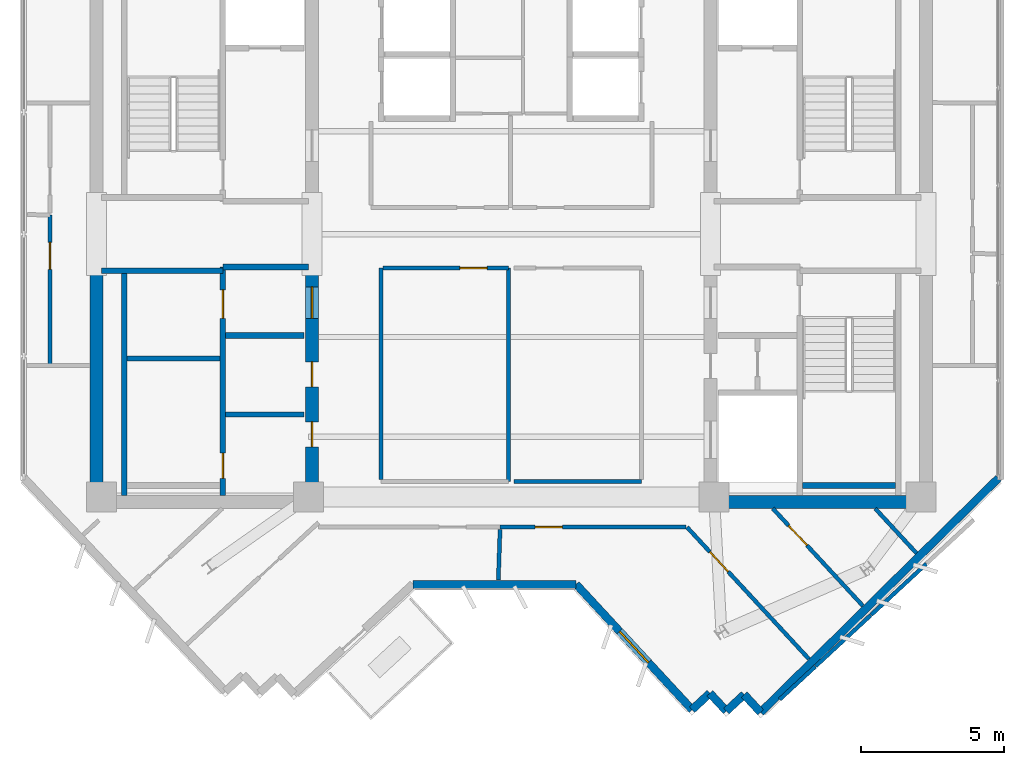
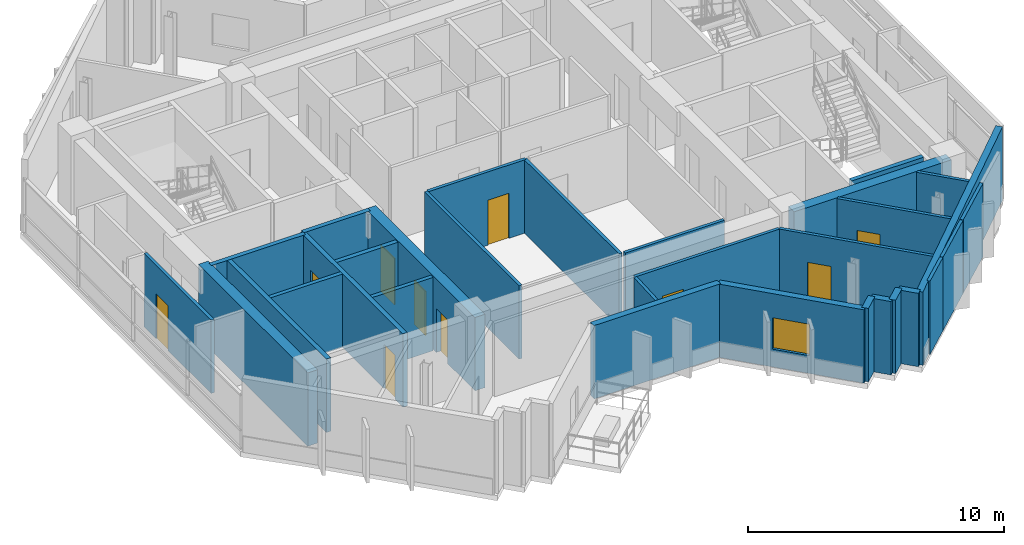
# One storey, part 4 of 9: 31 walls, 10 doors, 1 window, 11 openings.
"""IFC4 building model written with IfcOpenShell, lengths in metres."""

import ifcopenshell
import ifcopenshell.guid

model = None  # the IFC model being written
_history = None  # IfcOwnerHistory: only IFC2X3 demands one
_inside = {}  # id of a spatial element -> (the spatial element, [elements in it])
_under = {}  # id of a project, library or spatial element -> (it, [spatial elements below it])
_declared = {}  # id of a project -> (the project, [libraries it declares])
_typed = {}  # id of a type object -> (the type object, [elements of that type])
_made_of = {}  # id of a material, layer set ... -> (it, [elements and type objects made of it])


def new_model(schema):
    """Start an empty IFC model of exactly this schema.

    Asked for "IFC4X3", IfcOpenShell would pick the latest addendum, in which some entities
    have other attributes; the version numbers below select the first issue.
    IFC2X3 requires an IfcOwnerHistory on every rooted entity: one is made here for all.
    """
    global model, _history
    if schema == "IFC4X3":
        model = ifcopenshell.file(schema_version=(4, 3, 0, 0))
    else:
        model = ifcopenshell.file(schema=schema)
    _inside.clear()
    _under.clear()
    _declared.clear()
    _typed.clear()
    _made_of.clear()
    _history = None
    if model.schema == "IFC2X3":
        org = make("IfcOrganization", Name="unknown")
        user = make(
            "IfcPersonAndOrganization",
            ThePerson=make("IfcPerson", FamilyName="unknown"),
            TheOrganization=org,
        )
        app = make(
            "IfcApplication",
            ApplicationDeveloper=org,
            Version="unknown",
            ApplicationFullName="unknown",
            ApplicationIdentifier="unknown",
        )
        _history = make(
            "IfcOwnerHistory",
            OwningUser=user,
            OwningApplication=app,
            ChangeAction="ADDED",
            CreationDate=0,
        )
    return model


def make(cls, **values):
    """One entity of the class cls with the attributes given. An attribute that is None is left unset."""
    return model.create_entity(
        cls, **{name: value for name, value in values.items() if value is not None}
    )


def rooted(cls, **values):
    """An entity with a GlobalId (a new one), such as an element, a storey or a relation."""
    return make(cls, GlobalId=ifcopenshell.guid.new(), OwnerHistory=_history, **values)


def si_unit(unit_type, name, prefix=None):
    """IfcSIUnit, for example si_unit("LENGTHUNIT", "METRE", prefix="MILLI")."""
    return make("IfcSIUnit", UnitType=unit_type, Prefix=prefix, Name=name)


def assignment(units):
    """IfcUnitAssignment: the units of a project."""
    return None if units is None else make("IfcUnitAssignment", Units=units)


def point(xyz):
    """IfcCartesianPoint."""
    return None if xyz is None else make("IfcCartesianPoint", Coordinates=xyz)


def direction(xyz):
    """IfcDirection."""
    return None if xyz is None else make("IfcDirection", DirectionRatios=xyz)


def frame(location, z_axis=None, x_axis=None):
    """IfcAxis2Placement3D, a coordinate frame: its origin and axes. An axis left out is left unset."""
    return make(
        "IfcAxis2Placement3D",
        Location=point(location),
        Axis=direction(z_axis),
        RefDirection=direction(x_axis),
    )


def frame_2d(location, x_axis=None):
    """IfcAxis2Placement2D, a coordinate frame in the plane: its origin and x axis."""
    return make(
        "IfcAxis2Placement2D", Location=point(location), RefDirection=direction(x_axis)
    )


def origin():
    """The frame at (0, 0, 0) with its axes left unset."""
    return frame((0.0, 0.0, 0.0))


def place(relative_to, where):
    """IfcLocalPlacement: puts the frame where relative to a parent placement (None: the world)."""
    return make(
        "IfcLocalPlacement", PlacementRelTo=relative_to, RelativePlacement=where
    )


def context(
    kind, dimensions, precision=None, world=None, true_north=None, identifier=None
):
    """IfcGeometricRepresentationContext, for example the 3D "Model" context."""
    return make(
        "IfcGeometricRepresentationContext",
        ContextIdentifier=identifier,
        ContextType=kind,
        CoordinateSpaceDimension=dimensions,
        Precision=precision,
        WorldCoordinateSystem=world,
        TrueNorth=true_north,
    )


def subcontext(parent, identifier, kind, view, scale=None):
    """IfcGeometricRepresentationSubContext, for example "Body" below "Model"."""
    return make(
        "IfcGeometricRepresentationSubContext",
        ContextIdentifier=identifier,
        ContextType=kind,
        ParentContext=parent,
        TargetScale=scale,
        TargetView=view,
    )


def project(units=None, contexts=None):
    """IfcProject with its units and contexts."""
    return rooted(
        "IfcProject",
        Name="project",
        RepresentationContexts=contexts,
        UnitsInContext=assignment(units),
    )


def spatial(cls, under=None, at=None, **own):
    """A site, building, storey or space (cls), placed at a placement, below another one or the project."""
    s = rooted(cls, ObjectPlacement=at, **own)
    if under is not None:
        _under.setdefault(under.id(), (under, []))[1].append(s)
    return s


def profile(cls, at=None, kind="AREA", **sizes):
    """A parametric profile (cls). Its sizes go by their IFC names, for example OverallWidth=200.0."""
    return make(cls, ProfileType=kind, Position=at, **sizes)


def rectangle(**sizes):
    """IfcRectangleProfileDef."""
    return profile("IfcRectangleProfileDef", **sizes)


def extrude(swept, where, along, depth):
    """IfcExtrudedAreaSolid: the profile swept, set in the frame where, extruded along a direction by depth."""
    return make(
        "IfcExtrudedAreaSolid",
        SweptArea=swept,
        Position=where,
        ExtrudedDirection=direction(along),
        Depth=depth,
    )


def shape(context_of_items, identifier, shape_type, items):
    """IfcShapeRepresentation: the items that make up one representation, for example the "Body"."""
    return make(
        "IfcShapeRepresentation",
        ContextOfItems=context_of_items,
        RepresentationIdentifier=identifier,
        RepresentationType=shape_type,
        Items=items,
    )


def source(mapping_origin, context_of_items, identifier, shape_type, items):
    """IfcRepresentationMap: a shape defined once, which mapped items show again and again."""
    return make(
        "IfcRepresentationMap",
        MappingOrigin=mapping_origin,
        MappedRepresentation=shape(context_of_items, identifier, shape_type, items),
    )


def transform(
    local_origin,
    x_axis=None,
    y_axis=None,
    z_axis=None,
    scale=None,
    scale2=None,
    scale3=None,
    uniform=True,
):
    """IfcCartesianTransformationOperator3D, or its non-uniform kind. x_axis, y_axis, z_axis: its Axis1, 2, 3."""
    if uniform:
        return make(
            "IfcCartesianTransformationOperator3D",
            Axis1=direction(x_axis),
            Axis2=direction(y_axis),
            LocalOrigin=point(local_origin),
            Scale=scale,
            Axis3=direction(z_axis),
        )
    return make(
        "IfcCartesianTransformationOperator3DnonUniform",
        Axis1=direction(x_axis),
        Axis2=direction(y_axis),
        LocalOrigin=point(local_origin),
        Scale=scale,
        Axis3=direction(z_axis),
        Scale2=scale2,
        Scale3=scale3,
    )


def mapped(mapping_source, mapping_target):
    """IfcMappedItem: shows the shape of a source again, moved by a transform."""
    return make(
        "IfcMappedItem", MappingSource=mapping_source, MappingTarget=mapping_target
    )


def material(Name=None, Category=None):
    """IfcMaterial."""
    return make("IfcMaterial", Name=Name, Category=Category)


def layer(
    of_material, thickness, ventilated=None, Name=None, Category=None, Priority=None
):
    """IfcMaterialLayer: one layer of a wall or slab, of a material (None: an air gap)."""
    return make(
        "IfcMaterialLayer",
        Material=of_material,
        LayerThickness=thickness,
        IsVentilated=ventilated,
        Name=Name,
        Category=Category,
        Priority=Priority,
    )


def layer_set(layers, Name=None):
    """IfcMaterialLayerSet."""
    return make("IfcMaterialLayerSet", MaterialLayers=layers, LayerSetName=Name)


def made_of(thing, what):
    """Note that an element or type object is made of a material, layer set ...; save() writes the relation."""
    if what is not None:
        _made_of.setdefault(what.id(), (what, []))[1].append(thing)
    return thing


def type_object(cls, material=None, **own):
    """A type object (cls), such as IfcWallType, which elements share."""
    return made_of(rooted(cls, **own), material)


def element(
    cls,
    number,
    at=None,
    inside=None,
    cuts=None,
    type_object=None,
    material=None,
    context=None,
    identifier="Body",
    shape_type=None,
    held_by="IfcProductDefinitionShape",
    body=None,
    shapes=None,
    **own,
):
    """One element of the class cls, such as IfcWall. Its Tag is "e" and its number.

    at: its placement. inside: the storey or other place that contains it. cuts: it is an
    opening in that element (IfcRelVoidsElement). A single representation is given by context,
    identifier, shape_type and body (its items); several are given by shapes. held_by: the class
    of the entity that holds the representations. save() writes the other relations.
    """
    e = rooted(cls, Tag="e%d" % number, ObjectPlacement=at, **own)
    if body is not None:
        shapes = [shape(context, identifier, shape_type, body)]
    if shapes is not None:
        e.Representation = make(held_by, Representations=shapes)
    if inside is not None:
        _inside.setdefault(inside.id(), (inside, []))[1].append(e)
    if cuts is not None:
        rooted(
            "IfcRelVoidsElement", RelatingBuildingElement=cuts, RelatedOpeningElement=e
        )
    if type_object is not None:
        _typed.setdefault(type_object.id(), (type_object, []))[1].append(e)
    return made_of(e, material)


def fill(opening, filler):
    """IfcRelFillsElement: the door or window that sits in an opening."""
    return rooted(
        "IfcRelFillsElement",
        RelatingOpeningElement=opening,
        RelatedBuildingElement=filler,
    )


def aggregate(whole, parts):
    """IfcRelAggregates: a whole, such as a stair, and the parts it consists of."""
    return rooted("IfcRelAggregates", RelatingObject=whole, RelatedObjects=parts)


def save(model, path):
    """Write the relations noted so far, then the file.

    IfcRelAggregates (storeys below a building ...), IfcRelContainedInSpatialStructure (elements
    in a storey), IfcRelDefinesByType, IfcRelAssociatesMaterial and IfcRelDeclares: one each for
    every whole, place, type object, material and project.
    """
    for whole, parts in _under.values():
        aggregate(whole, parts)
    for where, things in _inside.values():
        rooted(
            "IfcRelContainedInSpatialStructure",
            RelatedElements=things,
            RelatingStructure=where,
        )
    for kind, things in _typed.values():
        rooted("IfcRelDefinesByType", RelatedObjects=things, RelatingType=kind)
    for what, things in _made_of.values():
        rooted("IfcRelAssociatesMaterial", RelatedObjects=things, RelatingMaterial=what)
    for by, libraries in _declared.values():
        rooted("IfcRelDeclares", RelatingContext=by, RelatedDefinitions=libraries)
    model.write(path)


model = new_model("IFC4")

# Units and contexts
model_context = context("Model", 3, precision=1e-05, world=origin(), true_north=direction((0.0, 1.0)))
body_context = subcontext(model_context, "Body", "Model", "MODEL_VIEW")
ifc_project = project(units=[si_unit("LENGTHUNIT", "METRE"), si_unit("AREAUNIT", "SQUARE_METRE"), si_unit("VOLUMEUNIT", "CUBIC_METRE"), si_unit("PLANEANGLEUNIT", "RADIAN"), si_unit("MASSUNIT", "GRAM", prefix="KILO")], contexts=[model_context])

# Site, building, storey
site_placement = place(None, origin())
site = spatial("IfcSite", under=ifc_project, at=site_placement, CompositionType="ELEMENT")
building_placement = place(site_placement, origin())
building = spatial("IfcBuilding", under=site, at=building_placement, Name="Zahravan Cultural Tower", CompositionType="ELEMENT")
storey_placement = place(building_placement, frame((0.0, 0.0, 299.10009765625)))
storey = spatial("IfcBuildingStorey", under=building, at=storey_placement, Name="L72", CompositionType="ELEMENT", Elevation=299.10009765625)

# Wall, openings, doors
ifc_material_1 = material(Name="Concrete C50/60", Category="concrete")
ifc_layer_1 = layer(ifc_material_1, 0.449951171875)
ifc_layer_set_1 = layer_set([ifc_layer_1], Name="Concrete C50/60")
wall_type_1 = type_object("IfcWallType", Name="CW-SHEAR-450-C50", PredefinedType="SHEAR", material=ifc_layer_set_1)
wall_1_placement = place(storey_placement, frame((29.02490234375, 17.39990234375, 0.0), z_axis=(0.0, 0.0, 1.0), x_axis=(0.0, 1.0, 0.0)))
wall_1 = element("IfcWall", 1, at=wall_1_placement, inside=storey, type_object=wall_type_1, Name="L72 Core Shear Wall CW-W-ES-L72", PredefinedType="SHEAR", context=body_context, shape_type="SweptSolid", body=[
    extrude(rectangle(XDim=8.550048828125, YDim=0.449951171875, at=frame_2d((4.27490234375, 0.0))), origin(), (0.0, 0.0, 1.0), 3.5),
])
opening_1_placement = place(wall_1_placement, frame((6.64990234375, 0.0, 0.0)))
opening_1 = element("IfcOpeningElement", 2, at=opening_1_placement, cuts=wall_1, Name="Opening D-L72-08", PredefinedType="OPENING", context=body_context, shape_type="SweptSolid", body=[
    extrude(rectangle(XDim=1.10009765625, YDim=2.199951171875, at=frame_2d((0.550048828125, 1.10009765625))), frame((0.0, 0.23486328125, 0.0), z_axis=(0.0, -1.0, 0.0), x_axis=(1.0, 0.0, 0.0)), (0.0, 0.0, 1.0), 0.469970703125),
])
opening_2_placement = place(wall_1_placement, frame((2.14990234375, 0.0, 0.0)))
opening_2 = element("IfcOpeningElement", 3, at=opening_2_placement, cuts=wall_1, Name="Opening D-L72-10", PredefinedType="OPENING", context=body_context, shape_type="SweptSolid", body=[
    extrude(rectangle(XDim=0.8798828125, YDim=2.10009765625, at=frame_2d((0.43994140625, 1.050048828125))), frame((0.0, 0.23486328125, 0.0), z_axis=(0.0, -1.0, 0.0), x_axis=(1.0, 0.0, 0.0)), (0.0, 0.0, 1.0), 0.469970703125),
])
opening_3_placement = place(wall_1_placement, frame((4.25, 0.0, 0.0)))
opening_3 = element("IfcOpeningElement", 4, at=opening_3_placement, cuts=wall_1, Name="Opening D-L72-11", PredefinedType="OPENING", context=body_context, shape_type="SweptSolid", body=[
    extrude(rectangle(XDim=0.8798828125, YDim=2.10009765625, at=frame_2d((0.43994140625, 1.050048828125))), frame((0.0, 0.23486328125, 0.0), z_axis=(0.0, -1.0, 0.0), x_axis=(1.0, 0.0, 0.0)), (0.0, 0.0, 1.0), 0.469970703125),
])
ifc_material_2 = material(Name="Steel ASTM A572 Grade 50", Category="steel")
door_type_1 = type_object("IfcDoorType", Name="DR-LOBBY-1100", OperationType="NOTDEFINED", PredefinedType="DOOR", material=ifc_material_2)
shared_shape_1 = source(origin(), body_context, "Body", "SweptSolid", [
    extrude(rectangle(XDim=1.10009765625, YDim=2.199951171875, at=frame_2d((0.550048828125, 1.10009765625))), frame((0.0, 0.02490234375, 0.0), z_axis=(0.0, -1.0, 0.0), x_axis=(1.0, 0.0, 0.0)), (0.0, 0.0, 1.0), 0.050048828125),
])
door_1_placement = place(opening_1_placement, origin())
door_1 = element("IfcDoor", 5, at=door_1_placement, inside=storey, type_object=door_type_1, Name="L72 Door D-L72-08", OperationType="SINGLE_SWING_LEFT", OverallHeight=2.199951171875, OverallWidth=1.10009765625, PredefinedType="DOOR", context=body_context, shape_type="MappedRepresentation", body=[
    mapped(shared_shape_1, transform((0.0, 0.0, 0.0), x_axis=(1.0, 0.0, 0.0), y_axis=(0.0, 1.0, 0.0), z_axis=(0.0, 0.0, 1.0), scale=1.0)),
])
fill(opening_1, door_1)
door_type_2 = type_object("IfcDoorType", Name="DR-SVC-880", OperationType="NOTDEFINED", PredefinedType="DOOR", material=ifc_material_2)
shared_shape_2 = source(origin(), body_context, "Body", "SweptSolid", [
    extrude(rectangle(XDim=0.8798828125, YDim=2.10009765625, at=frame_2d((0.43994140625, 1.050048828125))), frame((0.0, 0.02490234375, 0.0), z_axis=(0.0, -1.0, 0.0), x_axis=(1.0, 0.0, 0.0)), (0.0, 0.0, 1.0), 0.050048828125),
])
door_2_placement = place(opening_2_placement, origin())
door_2 = element("IfcDoor", 6, at=door_2_placement, inside=storey, type_object=door_type_2, Name="L72 Door D-L72-10", OperationType="SINGLE_SWING_LEFT", OverallHeight=2.10009765625, OverallWidth=0.8798828125, PredefinedType="DOOR", context=body_context, shape_type="MappedRepresentation", body=[
    mapped(shared_shape_2, transform((0.0, 0.0, 0.0), x_axis=(1.0, 0.0, 0.0), y_axis=(0.0, 1.0, 0.0), z_axis=(0.0, 0.0, 1.0), scale=1.0)),
])
fill(opening_2, door_2)
door_3_placement = place(opening_3_placement, origin())
door_3 = element("IfcDoor", 7, at=door_3_placement, inside=storey, type_object=door_type_2, Name="L72 Door D-L72-11", OperationType="SINGLE_SWING_RIGHT", OverallHeight=2.10009765625, OverallWidth=0.8798828125, PredefinedType="DOOR", context=body_context, shape_type="MappedRepresentation", body=[
    mapped(shared_shape_2, transform((0.0, 0.0, 0.0), x_axis=(1.0, 0.0, 0.0), y_axis=(0.0, 1.0, 0.0), z_axis=(0.0, 0.0, 1.0), scale=1.0)),
])
fill(opening_3, door_3)

# Wall, opening, window
ifc_material_3 = material(Name="Precast concrete C40/50", Category="concrete")
ifc_layer_2 = layer(ifc_material_3, 0.280029296875)
ifc_layer_set_2 = layer_set([ifc_layer_2], Name="Precast concrete C40/50")
wall_type_2 = type_object("IfcWallType", Name="EW-TC-280", PredefinedType="SOLIDWALL", material=ifc_layer_set_2)
wall_2_placement = place(storey_placement, frame((42.327880859375, 10.35009765625, 0.0), z_axis=(0.0, 0.0, 1.0), x_axis=(-0.679010627727, 0.734128440693, 0.0)))
wall_2 = element("IfcWall", 8, at=wall_2_placement, inside=storey, type_object=wall_type_2, Name="L72 Exterior Masonry Frame Wall 12", PredefinedType="SOLIDWALL", context=body_context, shape_type="SweptSolid", body=[
    extrude(rectangle(XDim=5.979736328125, YDim=0.280029296875, at=frame_2d((2.98974609375, 0.0))), origin(), (0.0, 0.0, 1.0), 3.5),
])
opening_4_placement = place(wall_2_placement, frame((2.239990234375, 0.0, 0.85009765625)))
opening_4 = element("IfcOpeningElement", 9, at=opening_4_placement, cuts=wall_2, Name="Opening WN-03", PredefinedType="OPENING", context=body_context, shape_type="SweptSolid", body=[
    extrude(rectangle(XDim=1.5, YDim=1.5, at=frame_2d((0.75, 0.75))), frame((0.0, 0.14990234375, 0.0), z_axis=(0.0, -1.0, 0.0), x_axis=(1.0, 0.0, 0.0)), (0.0, 0.0, 1.0), 0.300048828125),
])
ifc_material_4 = material(Name="Low-E solar-control double glazing", Category="glass")
window_type = type_object("IfcWindowType", Name="WN-REC-1500X1500", PartitioningType="SINGLE_PANEL", PredefinedType="WINDOW", material=ifc_material_4)
shared_shape_3 = source(origin(), body_context, "Body", "SweptSolid", [
    extrude(rectangle(XDim=1.5, YDim=1.5, at=frame_2d((0.75, 0.75))), frame((0.0, 0.030029296875, 0.0), z_axis=(0.0, -1.0, 0.0), x_axis=(1.0, 0.0, 0.0)), (0.0, 0.0, 1.0), 0.06005859375),
])
window_placement = place(opening_4_placement, origin())
window = element("IfcWindow", 10, at=window_placement, inside=storey, type_object=window_type, Name="L72 Recessed Solar Window 03", OverallHeight=1.5, OverallWidth=1.5, PartitioningType="SINGLE_PANEL", PredefinedType="WINDOW", context=body_context, shape_type="MappedRepresentation", body=[
    mapped(shared_shape_3, transform((0.0, 0.0, 0.0), x_axis=(1.0, 0.0, 0.0), y_axis=(0.0, 1.0, 0.0), z_axis=(0.0, 0.0, 1.0), scale=1.0)),
])
fill(opening_4, window)

# Wall, opening, door
ifc_material_5 = material(Name="Gypsum plasterboard partition")
ifc_layer_3 = layer(ifc_material_5, 0.139892578125)
ifc_layer_set_3 = layer_set([ifc_layer_3], Name="Gypsum plasterboard partition")
wall_type_3 = type_object("IfcWallType", Name="W-PART-140", PredefinedType="PARTITIONING", material=ifc_layer_set_3)
wall_3_placement = place(storey_placement, frame((48.310546875, 13.98486328125, 0.0), z_axis=(0.0, 0.0, 1.0), x_axis=(-0.679002327249, 0.73413611789, 0.0)))
wall_3 = element("IfcWall", 11, at=wall_3_placement, inside=storey, type_object=wall_type_3, Name="L72 Interior Wall 052", PredefinedType="PARTITIONING", context=body_context, shape_type="SweptSolid", body=[
    extrude(rectangle(XDim=4.64501953125, YDim=0.139892578125, at=frame_2d((2.322509765625, 0.0))), origin(), (0.0, 0.0, 1.0), 3.5),
])
opening_5_placement = place(wall_3_placement, frame((2.882080078125, 0.0, 0.0)))
opening_5 = element("IfcOpeningElement", 12, at=opening_5_placement, cuts=wall_3, Name="Opening D-L72-32", PredefinedType="OPENING", context=body_context, shape_type="SweptSolid", body=[
    extrude(rectangle(XDim=0.949951171875, YDim=2.14990234375, at=frame_2d((0.47509765625, 1.074951171875))), frame((0.0, 0.079833984375, 0.0), z_axis=(0.0, -1.0, 0.0), x_axis=(1.0, 0.0, 0.0)), (0.0, 0.0, 1.0), 0.159912109375),
])
ifc_material_6 = material(Name="Anodised bronze-aluminium mullion", Category="aluminium")
door_type_3 = type_object("IfcDoorType", Name="DR-ROOM-950", OperationType="NOTDEFINED", PredefinedType="DOOR", material=ifc_material_6)
shared_shape_4 = source(origin(), body_context, "Body", "SweptSolid", [
    extrude(rectangle(XDim=0.949951171875, YDim=2.14990234375, at=frame_2d((0.47509765625, 1.074951171875))), frame((0.0, 0.02490234375, 0.0), z_axis=(0.0, -1.0, 0.0), x_axis=(1.0, 0.0, 0.0)), (0.0, 0.0, 1.0), 0.050048828125),
])
door_4_placement = place(opening_5_placement, origin())
door_4 = element("IfcDoor", 13, at=door_4_placement, inside=storey, type_object=door_type_3, Name="L72 Door D-L72-32", OperationType="SINGLE_SWING_LEFT", OverallHeight=2.14990234375, OverallWidth=0.949951171875, PredefinedType="DOOR", context=body_context, shape_type="MappedRepresentation", body=[
    mapped(shared_shape_4, transform((0.0, 0.0, 0.0), x_axis=(1.0, 0.0, 0.0), y_axis=(0.0, 1.0, 0.0), z_axis=(0.0, 0.0, 1.0), scale=1.0)),
])
fill(opening_5, door_4)

wall_4_placement = place(storey_placement, frame((46.42138671875, 12.124755859375, 0.0), z_axis=(0.0, 0.0, 1.0), x_axis=(-0.679016867794, 0.734122669076, 0.0)))
wall_4 = element("IfcWall", 14, at=wall_4_placement, inside=storey, type_object=wall_type_3, Name="L72 Interior Wall 062", PredefinedType="PARTITIONING", context=body_context, shape_type="SweptSolid", body=[
    extrude(rectangle(XDim=6.28662109375, YDim=0.139892578125, at=frame_2d((3.143310546875, 0.0))), origin(), (0.0, 0.0, 1.0), 3.5),
])
opening_6_placement = place(wall_4_placement, frame((4.16259765625, 0.0, 0.0)))
opening_6 = element("IfcOpeningElement", 15, at=opening_6_placement, cuts=wall_4, Name="Opening D-L72-31", PredefinedType="OPENING", context=body_context, shape_type="SweptSolid", body=[
    extrude(rectangle(XDim=0.949951171875, YDim=2.14990234375, at=frame_2d((0.47509765625, 1.074951171875))), frame((0.0, 0.079833984375, 0.0), z_axis=(0.0, -1.0, 0.0), x_axis=(1.0, 0.0, 0.0)), (0.0, 0.0, 1.0), 0.159912109375),
])
door_5_placement = place(opening_6_placement, origin())
door_5 = element("IfcDoor", 16, at=door_5_placement, inside=storey, type_object=door_type_3, Name="L72 Door D-L72-31", OperationType="SINGLE_SWING_RIGHT", OverallHeight=2.14990234375, OverallWidth=0.949951171875, PredefinedType="DOOR", context=body_context, shape_type="MappedRepresentation", body=[
    mapped(shared_shape_4, transform((0.0, 0.0, 0.0), x_axis=(1.0, 0.0, 0.0), y_axis=(0.0, 1.0, 0.0), z_axis=(0.0, 0.0, 1.0), scale=1.0)),
])
fill(opening_6, door_5)

wall_5_placement = place(storey_placement, frame((19.85009765625, 27.662353515625, 0.0), z_axis=(0.0, 0.0, 1.0), x_axis=(0.0, -1.0, 0.0)))
wall_5 = element("IfcWall", 17, at=wall_5_placement, inside=storey, type_object=wall_type_3, Name="L72 Interior Wall 066", PredefinedType="PARTITIONING", context=body_context, shape_type="SweptSolid", body=[
    extrude(rectangle(XDim=5.25634765625, YDim=0.139892578125, at=frame_2d((2.628173828125, 0.0))), origin(), (0.0, 0.0, 1.0), 3.5),
])
opening_7_placement = place(wall_5_placement, frame((0.947509765625, 0.0, 0.0)))
opening_7 = element("IfcOpeningElement", 18, at=opening_7_placement, cuts=wall_5, Name="Opening D-L72-24", PredefinedType="OPENING", context=body_context, shape_type="SweptSolid", body=[
    extrude(rectangle(XDim=0.949951171875, YDim=2.14990234375, at=frame_2d((0.47509765625, 1.074951171875))), frame((0.0, 0.079833984375, 0.0), z_axis=(0.0, -1.0, 0.0), x_axis=(1.0, 0.0, 0.0)), (0.0, 0.0, 1.0), 0.159912109375),
])
door_6_placement = place(opening_7_placement, origin())
door_6 = element("IfcDoor", 19, at=door_6_placement, inside=storey, type_object=door_type_3, Name="L72 Door D-L72-24", OperationType="SINGLE_SWING_LEFT", OverallHeight=2.14990234375, OverallWidth=0.949951171875, PredefinedType="DOOR", context=body_context, shape_type="MappedRepresentation", body=[
    mapped(shared_shape_4, transform((0.0, 0.0, 0.0), x_axis=(1.0, 0.0, 0.0), y_axis=(0.0, 1.0, 0.0), z_axis=(0.0, 0.0, 1.0), scale=1.0)),
])
fill(opening_7, door_6)

wall_6_placement = place(storey_placement, frame((31.514892578125, 25.81005859375, 0.0), z_axis=(0.0, 0.0, 1.0), x_axis=(1.0, 0.0, 0.0)))
wall_6 = element("IfcWall", 20, at=wall_6_placement, inside=storey, type_object=wall_type_3, Name="L72 Interior Wall 083", PredefinedType="PARTITIONING", context=body_context, shape_type="SweptSolid", body=[
    extrude(rectangle(XDim=4.39501953125, YDim=0.139892578125, at=frame_2d((2.197509765625, 0.0))), origin(), (0.0, 0.0, 1.0), 3.5),
])
opening_8_placement = place(wall_6_placement, frame((2.68701171875, 0.0, 0.0)))
opening_8 = element("IfcOpeningElement", 21, at=opening_8_placement, cuts=wall_6, Name="Opening D-L72-14", PredefinedType="OPENING", context=body_context, shape_type="SweptSolid", body=[
    extrude(rectangle(XDim=0.949951171875, YDim=2.14990234375, at=frame_2d((0.47509765625, 1.074951171875))), frame((0.0, 0.079833984375, 0.0), z_axis=(0.0, -1.0, 0.0), x_axis=(1.0, 0.0, 0.0)), (0.0, 0.0, 1.0), 0.159912109375),
])
door_7_placement = place(opening_8_placement, origin())
door_7 = element("IfcDoor", 22, at=door_7_placement, inside=storey, type_object=door_type_3, Name="L72 Door D-L72-14", OperationType="SINGLE_SWING_LEFT", OverallHeight=2.14990234375, OverallWidth=0.949951171875, PredefinedType="DOOR", context=body_context, shape_type="MappedRepresentation", body=[
    mapped(shared_shape_4, transform((0.0, 0.0, 0.0), x_axis=(1.0, 0.0, 0.0), y_axis=(0.0, 1.0, 0.0), z_axis=(0.0, 0.0, 1.0), scale=1.0)),
])
fill(opening_8, door_7)

wall_7_placement = place(storey_placement, frame((35.60986328125, 16.739990234375, 0.0), z_axis=(0.0, 0.0, 1.0), x_axis=(1.0, 0.0, 0.0)))
wall_7 = element("IfcWall", 23, at=wall_7_placement, inside=storey, type_object=wall_type_3, Name="L72 Interior Wall 090", PredefinedType="PARTITIONING", context=body_context, shape_type="SweptSolid", body=[
    extrude(rectangle(XDim=6.515380859375, YDim=0.139892578125, at=frame_2d((3.2578125, 0.0))), origin(), (0.0, 0.0, 1.0), 3.5),
])
opening_9_placement = place(wall_7_placement, frame((1.224365234375, 0.0, 0.0)))
opening_9 = element("IfcOpeningElement", 24, at=opening_9_placement, cuts=wall_7, Name="Opening D-L72-26", PredefinedType="OPENING", context=body_context, shape_type="SweptSolid", body=[
    extrude(rectangle(XDim=0.949951171875, YDim=2.14990234375, at=frame_2d((0.47509765625, 1.074951171875))), frame((0.0, 0.079833984375, 0.0), z_axis=(0.0, -1.0, 0.0), x_axis=(1.0, 0.0, 0.0)), (0.0, 0.0, 1.0), 0.159912109375),
])
door_8_placement = place(opening_9_placement, origin())
door_8 = element("IfcDoor", 25, at=door_8_placement, inside=storey, type_object=door_type_3, Name="L72 Door D-L72-26", OperationType="SINGLE_SWING_LEFT", OverallHeight=2.14990234375, OverallWidth=0.949951171875, PredefinedType="DOOR", context=body_context, shape_type="MappedRepresentation", body=[
    mapped(shared_shape_4, transform((0.0, 0.0, 0.0), x_axis=(1.0, 0.0, 0.0), y_axis=(0.0, 1.0, 0.0), z_axis=(0.0, 0.0, 1.0), scale=1.0)),
])
fill(opening_9, door_8)

# Wall, openings, doors
ifc_material_7 = material(Name="Concrete C45/55", Category="concrete")
ifc_layer_4 = layer(ifc_material_7, 0.199951171875)
ifc_layer_set_4 = layer_set([ifc_layer_4], Name="Concrete C45/55")
wall_type_4 = type_object("IfcWallType", Name="W-SHAFT-200", PredefinedType="SOLIDWALL", material=ifc_layer_set_4)
wall_8_placement = place(storey_placement, frame((25.89990234375, 17.85009765625, 0.0), z_axis=(0.0, 0.0, 1.0), x_axis=(0.0, 1.0, 0.0)))
wall_8 = element("IfcWall", 26, at=wall_8_placement, inside=storey, type_object=wall_type_4, Name="L72 Interior Wall 005", PredefinedType="SOLIDWALL", context=body_context, shape_type="SweptSolid", body=[
    extrude(rectangle(XDim=8.0, YDim=0.199951171875, at=frame_2d((4.0, 0.0))), origin(), (0.0, 0.0, 1.0), 3.5),
])
opening_10_placement = place(wall_8_placement, frame((6.199951171875, 0.0, 0.0)))
opening_10 = element("IfcOpeningElement", 27, at=opening_10_placement, cuts=wall_8, Name="Opening D-L72-04", PredefinedType="OPENING", context=body_context, shape_type="SweptSolid", body=[
    extrude(rectangle(XDim=1.0, YDim=2.14990234375, at=frame_2d((0.5, 1.074951171875))), frame((0.0, 0.10986328125, 0.0), z_axis=(0.0, -1.0, 0.0), x_axis=(1.0, 0.0, 0.0)), (0.0, 0.0, 1.0), 0.219970703125),
])
opening_11_placement = place(wall_8_placement, frame((0.60009765625, 0.0, 0.0)))
opening_11 = element("IfcOpeningElement", 28, at=opening_11_placement, cuts=wall_8, Name="Opening D-L72-05", PredefinedType="OPENING", context=body_context, shape_type="SweptSolid", body=[
    extrude(rectangle(XDim=0.8798828125, YDim=2.10009765625, at=frame_2d((0.43994140625, 1.050048828125))), frame((0.0, 0.10986328125, 0.0), z_axis=(0.0, -1.0, 0.0), x_axis=(1.0, 0.0, 0.0)), (0.0, 0.0, 1.0), 0.219970703125),
])
door_9_placement = place(opening_11_placement, origin())
door_9 = element("IfcDoor", 29, at=door_9_placement, inside=storey, type_object=door_type_2, Name="L72 Door D-L72-05", OperationType="SINGLE_SWING_RIGHT", OverallHeight=2.10009765625, OverallWidth=0.8798828125, PredefinedType="DOOR", context=body_context, shape_type="MappedRepresentation", body=[
    mapped(shared_shape_2, transform((0.0, 0.0, 0.0), x_axis=(1.0, 0.0, 0.0), y_axis=(0.0, 1.0, 0.0), z_axis=(0.0, 0.0, 1.0), scale=1.0)),
])
fill(opening_11, door_9)
door_type_4 = type_object("IfcDoorType", Name="DR-COMP-1000", OperationType="NOTDEFINED", PredefinedType="DOOR", material=ifc_material_2)
shared_shape_5 = source(origin(), body_context, "Body", "SweptSolid", [
    extrude(rectangle(XDim=1.0, YDim=2.14990234375, at=frame_2d((0.5, 1.074951171875))), frame((0.0, 0.02490234375, 0.0), z_axis=(0.0, -1.0, 0.0), x_axis=(1.0, 0.0, 0.0)), (0.0, 0.0, 1.0), 0.050048828125),
])
door_10_placement = place(opening_10_placement, origin())
door_10 = element("IfcDoor", 30, at=door_10_placement, inside=storey, type_object=door_type_4, Name="L72 Door D-L72-04", OperationType="SINGLE_SWING_LEFT", OverallHeight=2.14990234375, OverallWidth=1.0, PredefinedType="DOOR", context=body_context, shape_type="MappedRepresentation", body=[
    mapped(shared_shape_5, transform((0.0, 0.0, 0.0), x_axis=(1.0, 0.0, 0.0), y_axis=(0.0, 1.0, 0.0), z_axis=(0.0, 0.0, 1.0), scale=1.0)),
])
fill(opening_10, door_10)

# Walls
shared_shape_6 = source(origin(), body_context, "Body", "SweptSolid", [
    extrude(rectangle(XDim=8.550048828125, YDim=0.449951171875, at=frame_2d((4.27490234375, 0.0))), origin(), (0.0, 0.0, 1.0), 3.5),
])
wall_9_placement = place(storey_placement, frame((21.47509765625, 17.39990234375, 0.0), z_axis=(0.0, 0.0, 1.0), x_axis=(0.0, 1.0, 0.0)))
element("IfcWall", 31, at=wall_9_placement, inside=storey, type_object=wall_type_1, Name="L72 Core Shear Wall CW-W-WS-L72", PredefinedType="SHEAR", context=body_context, shape_type="MappedRepresentation", body=[
    mapped(shared_shape_6, transform((0.0, 0.0, 0.0), x_axis=(1.0, 0.0, 0.0), y_axis=(0.0, 1.0, 0.0), z_axis=(0.0, 0.0, 1.0), scale=1.0)),
])
shared_shape_7 = source(origin(), body_context, "Body", "SweptSolid", [
    extrude(rectangle(XDim=7.10009765625, YDim=0.449951171875, at=frame_2d((3.550048828125, 0.0))), origin(), (0.0, 0.0, 1.0), 3.5),
])
wall_10_placement = place(storey_placement, frame((43.199951171875, 17.625, 0.0), z_axis=(0.0, 0.0, 1.0), x_axis=(1.0, 0.0, 0.0)))
element("IfcWall", 32, at=wall_10_placement, inside=storey, type_object=wall_type_1, Name="L72 Core Shear Wall CW-E-S-L72", PredefinedType="SHEAR", context=body_context, shape_type="MappedRepresentation", body=[
    mapped(shared_shape_7, transform((0.0, 0.0, 0.0), x_axis=(1.0, 0.0, 0.0), y_axis=(0.0, 1.0, 0.0), z_axis=(0.0, 0.0, 1.0), scale=1.0)),
])
shared_shape_8 = source(origin(), body_context, "Body", "SweptSolid", [
    extrude(rectangle(XDim=0.85009765625, YDim=0.280029296875, at=frame_2d((0.425048828125, 0.0))), origin(), (0.0, 0.0, 1.0), 3.5),
])
for number, where, z_axis, x_axis, name in (
    (33, (44.73046875, 10.25634765625, 0.0), (0.0, 0.0, 1.0), (-0.67899554472, 0.734142390991, 0.0), "L72 Exterior Masonry Frame Wall 08"),
    (34, (44.1533203125, 10.88037109375, 0.0), (0.0, 0.0, 1.0), (-0.733999227766, -0.679150302686, 0.0), "L72 Exterior Masonry Frame Wall 09"),
    (35, (43.529296875, 10.302978515625, 0.0), (0.0, 0.0, 1.0), (-0.679150302686, 0.733999227766, 0.0), "L72 Exterior Masonry Frame Wall 10"),
):
    element("IfcWall", number, at=place(storey_placement, frame(where, z_axis=z_axis, x_axis=x_axis)), inside=storey, type_object=wall_type_2, Name=name, PredefinedType="SOLIDWALL", context=body_context, shape_type="MappedRepresentation", body=[
        mapped(shared_shape_8, transform((0.0, 0.0, 0.0), x_axis=(1.0, 0.0, 0.0), y_axis=(0.0, 1.0, 0.0), z_axis=(0.0, 0.0, 1.0), scale=1.0)),
    ])
shared_shape_9 = source(origin(), body_context, "Body", "SweptSolid", [
    extrude(rectangle(XDim=0.849853515625, YDim=0.280029296875, at=frame_2d((0.4248046875, 0.0))), origin(), (0.0, 0.0, 1.0), 3.5),
])
wall_11_placement = place(storey_placement, frame((42.951904296875, 10.927001953125, 0.0), z_axis=(0.0, 0.0, 1.0), x_axis=(-0.73428557742, -0.678840696183, 0.0)))
element("IfcWall", 36, at=wall_11_placement, inside=storey, type_object=wall_type_2, Name="L72 Exterior Masonry Frame Wall 11", PredefinedType="SOLIDWALL", context=body_context, shape_type="MappedRepresentation", body=[
    mapped(shared_shape_9, transform((0.0, 0.0, 0.0), x_axis=(1.0, 0.0, 0.0), y_axis=(0.0, 1.0, 0.0), z_axis=(0.0, 0.0, 1.0), scale=1.0)),
])
shared_shape_10 = source(origin(), body_context, "Body", "SweptSolid", [
    extrude(rectangle(XDim=11.689697265625, YDim=0.280029296875, at=frame_2d((5.8447265625, 0.0))), origin(), (0.0, 0.0, 1.0), 3.5),
])
wall_12_placement = place(storey_placement, frame((53.06005859375, 18.4580078125, 0.0), z_axis=(0.0, 0.0, 1.0), x_axis=(-0.712557502542, -0.701613715353, 0.0)))
element("IfcWall", 37, at=wall_12_placement, inside=storey, type_object=wall_type_2, Name="L72 Exterior Masonry Frame Wall 07", PredefinedType="SOLIDWALL", context=body_context, shape_type="MappedRepresentation", body=[
    mapped(shared_shape_10, transform((0.0, 0.0, 0.0), x_axis=(1.0, 0.0, 0.0), y_axis=(0.0, 1.0, 0.0), z_axis=(0.0, 0.0, 1.0), scale=1.0)),
])
shared_shape_11 = source(origin(), body_context, "Body", "SweptSolid", [
    extrude(rectangle(XDim=5.71435546875, YDim=0.280029296875, at=frame_2d((2.857177734375, 0.0))), origin(), (0.0, 0.0, 1.0), 3.5),
])
wall_13_placement = place(storey_placement, frame((38.267578125, 14.739990234375, 0.0), z_axis=(0.0, 0.0, 1.0), x_axis=(-1.0, 0.0, 0.0)))
element("IfcWall", 38, at=wall_13_placement, inside=storey, type_object=wall_type_2, Name="L72 Exterior Masonry Frame Wall 13", PredefinedType="SOLIDWALL", context=body_context, shape_type="MappedRepresentation", body=[
    mapped(shared_shape_11, transform((0.0, 0.0, 0.0), x_axis=(1.0, 0.0, 0.0), y_axis=(0.0, 1.0, 0.0), z_axis=(0.0, 0.0, 1.0), scale=1.0)),
])
shared_shape_12 = source(origin(), body_context, "Body", "SweptSolid", [
    extrude(rectangle(XDim=7.869873046875, YDim=0.199951171875, at=frame_2d((3.93505859375, 0.0))), origin(), (0.0, 0.0, 1.0), 3.5),
])
wall_14_placement = place(storey_placement, frame((22.449951171875, 17.85009765625, 0.0), z_axis=(0.0, 0.0, 1.0), x_axis=(0.0, 1.0, 0.0)))
element("IfcWall", 39, at=wall_14_placement, inside=storey, type_object=wall_type_4, Name="L72 Interior Wall 001", PredefinedType="SOLIDWALL", context=body_context, shape_type="MappedRepresentation", body=[
    mapped(shared_shape_12, transform((0.0, 0.0, 0.0), x_axis=(1.0, 0.0, 0.0), y_axis=(0.0, 1.0, 0.0), z_axis=(0.0, 0.0, 1.0), scale=1.0)),
])
shared_shape_13 = source(origin(), body_context, "Body", "SweptSolid", [
    extrude(rectangle(XDim=4.25, YDim=0.199951171875, at=frame_2d((2.125, 0.0))), origin(), (0.0, 0.0, 1.0), 3.5),
])
wall_15_placement = place(storey_placement, frame((21.64990234375, 25.715087890625, 0.0), z_axis=(0.0, 0.0, 1.0), x_axis=(1.0, 0.0, 0.0)))
element("IfcWall", 40, at=wall_15_placement, inside=storey, type_object=wall_type_4, Name="L72 Interior Wall 009", PredefinedType="SOLIDWALL", context=body_context, shape_type="MappedRepresentation", body=[
    mapped(shared_shape_13, transform((0.0, 0.0, 0.0), x_axis=(1.0, 0.0, 0.0), y_axis=(0.0, 1.0, 0.0), z_axis=(0.0, 0.0, 1.0), scale=1.0)),
])
shared_shape_14 = source(origin(), body_context, "Body", "SweptSolid", [
    extrude(rectangle(XDim=3.0, YDim=0.199951171875, at=frame_2d((1.5, 0.0))), origin(), (0.0, 0.0, 1.0), 3.5),
])
wall_16_placement = place(storey_placement, frame((25.89990234375, 25.85009765625, 0.0), z_axis=(0.0, 0.0, 1.0), x_axis=(1.0, 0.0, 0.0)))
element("IfcWall", 41, at=wall_16_placement, inside=storey, type_object=wall_type_4, Name="L72 Interior Wall 010", PredefinedType="SOLIDWALL", context=body_context, shape_type="MappedRepresentation", body=[
    mapped(shared_shape_14, transform((0.0, 0.0, 0.0), x_axis=(1.0, 0.0, 0.0), y_axis=(0.0, 1.0, 0.0), z_axis=(0.0, 0.0, 1.0), scale=1.0)),
])
shared_shape_15 = source(origin(), body_context, "Body", "SweptSolid", [
    extrude(rectangle(XDim=3.25, YDim=0.199951171875, at=frame_2d((1.625, 0.0))), origin(), (0.0, 0.0, 1.0), 3.5),
])
wall_17_placement = place(storey_placement, frame((46.199951171875, 18.199951171875, 0.0), z_axis=(0.0, 0.0, 1.0), x_axis=(1.0, 0.0, 0.0)))
element("IfcWall", 42, at=wall_17_placement, inside=storey, type_object=wall_type_4, Name="L72 Interior Wall 020", PredefinedType="SOLIDWALL", context=body_context, shape_type="MappedRepresentation", body=[
    mapped(shared_shape_15, transform((0.0, 0.0, 0.0), x_axis=(1.0, 0.0, 0.0), y_axis=(0.0, 1.0, 0.0), z_axis=(0.0, 0.0, 1.0), scale=1.0)),
])
ifc_layer_5 = layer(ifc_material_5, 0.179931640625)
ifc_layer_set_5 = layer_set([ifc_layer_5], Name="Gypsum plasterboard partition")
wall_type_5 = type_object("IfcWallType", Name="W-COMP-180", PredefinedType="PARTITIONING", material=ifc_layer_set_5)
shared_shape_16 = source(origin(), body_context, "Body", "SweptSolid", [
    extrude(rectangle(XDim=3.25, YDim=0.179931640625, at=frame_2d((1.625, 0.0))), origin(), (0.0, 0.0, 1.0), 3.5),
])
wall_18_placement = place(storey_placement, frame((22.550048828125, 22.64990234375, 0.0), z_axis=(0.0, 0.0, 1.0), x_axis=(1.0, 0.0, 0.0)))
element("IfcWall", 43, at=wall_18_placement, inside=storey, type_object=wall_type_5, Name="L72 Interior Wall 021", PredefinedType="PARTITIONING", context=body_context, shape_type="MappedRepresentation", body=[
    mapped(shared_shape_16, transform((0.0, 0.0, 0.0), x_axis=(1.0, 0.0, 0.0), y_axis=(0.0, 1.0, 0.0), z_axis=(0.0, 0.0, 1.0), scale=1.0)),
])
shared_shape_17 = source(origin(), body_context, "Body", "SweptSolid", [
    extrude(rectangle(XDim=2.75, YDim=0.199951171875, at=frame_2d((1.375, 0.0))), origin(), (0.0, 0.0, 1.0), 3.5),
])
wall_19_placement = place(storey_placement, frame((26.0, 23.449951171875, 0.0), z_axis=(0.0, 0.0, 1.0), x_axis=(1.0, 0.0, 0.0)))
element("IfcWall", 44, at=wall_19_placement, inside=storey, type_object=wall_type_4, Name="L72 Interior Wall 024", PredefinedType="SOLIDWALL", context=body_context, shape_type="MappedRepresentation", body=[
    mapped(shared_shape_17, transform((0.0, 0.0, 0.0), x_axis=(1.0, 0.0, 0.0), y_axis=(0.0, 1.0, 0.0), z_axis=(0.0, 0.0, 1.0), scale=1.0)),
])
shared_shape_18 = source(origin(), body_context, "Body", "SweptSolid", [
    extrude(rectangle(XDim=2.75, YDim=0.179931640625, at=frame_2d((1.375, 0.0))), origin(), (0.0, 0.0, 1.0), 3.5),
])
wall_20_placement = place(storey_placement, frame((26.0, 20.679931640625, 0.0), z_axis=(0.0, 0.0, 1.0), x_axis=(1.0, 0.0, 0.0)))
element("IfcWall", 45, at=wall_20_placement, inside=storey, type_object=wall_type_5, Name="L72 Interior Wall 027", PredefinedType="PARTITIONING", context=body_context, shape_type="MappedRepresentation", body=[
    mapped(shared_shape_18, transform((0.0, 0.0, 0.0), x_axis=(1.0, 0.0, 0.0), y_axis=(0.0, 1.0, 0.0), z_axis=(0.0, 0.0, 1.0), scale=1.0)),
])
shared_shape_19 = source(origin(), body_context, "Body", "SweptSolid", [
    extrude(rectangle(XDim=7.39501953125, YDim=0.139892578125, at=frame_2d((3.697509765625, 0.0))), origin(), (0.0, 0.0, 1.0), 3.5),
])
wall_21_placement = place(storey_placement, frame((31.43994140625, 18.4150390625, 0.0), z_axis=(0.0, 0.0, 1.0), x_axis=(0.0, 1.0, 0.0)))
element("IfcWall", 46, at=wall_21_placement, inside=storey, type_object=wall_type_3, Name="L72 Interior Wall 082", PredefinedType="PARTITIONING", context=body_context, shape_type="MappedRepresentation", body=[
    mapped(shared_shape_19, transform((0.0, 0.0, 0.0), x_axis=(1.0, 0.0, 0.0), y_axis=(0.0, 1.0, 0.0), z_axis=(0.0, 0.0, 1.0), scale=1.0)),
])
shared_shape_20 = source(origin(), body_context, "Body", "SweptSolid", [
    extrude(rectangle(XDim=4.469970703125, YDim=0.139892578125, at=frame_2d((2.23486328125, 0.0))), origin(), (0.0, 0.0, 1.0), 3.5),
])
wall_22_placement = place(storey_placement, frame((40.56005859375, 18.340087890625, 0.0), z_axis=(0.0, 0.0, 1.0), x_axis=(-1.0, 0.0, 0.0)))
element("IfcWall", 47, at=wall_22_placement, inside=storey, type_object=wall_type_3, Name="L72 Interior Wall 085", PredefinedType="PARTITIONING", context=body_context, shape_type="MappedRepresentation", body=[
    mapped(shared_shape_20, transform((0.0, 0.0, 0.0), x_axis=(1.0, 0.0, 0.0), y_axis=(0.0, 1.0, 0.0), z_axis=(0.0, 0.0, 1.0), scale=1.0)),
])
shared_shape_21 = source(origin(), body_context, "Body", "SweptSolid", [
    extrude(rectangle(XDim=2.130126953125, YDim=0.139892578125, at=frame_2d((1.06494140625, 0.0))), origin(), (0.0, 0.0, 1.0), 3.5),
])
wall_23_placement = place(storey_placement, frame((48.739013671875, 17.39501953125, 0.0), z_axis=(0.0, 0.0, 1.0), x_axis=(0.678946242809, -0.734187986401, 0.0)))
element("IfcWall", 48, at=wall_23_placement, inside=storey, type_object=wall_type_3, Name="L72 Interior Wall 053", PredefinedType="PARTITIONING", context=body_context, shape_type="MappedRepresentation", body=[
    mapped(shared_shape_21, transform((0.0, 0.0, 0.0), x_axis=(1.0, 0.0, 0.0), y_axis=(0.0, 1.0, 0.0), z_axis=(0.0, 0.0, 1.0), scale=1.0)),
])
shared_shape_22 = source(origin(), body_context, "Body", "SweptSolid", [
    extrude(rectangle(XDim=2.6298828125, YDim=0.139892578125, at=frame_2d((1.31494140625, 0.0))), origin(), (0.0, 0.0, 1.0), 3.5),
])
for number, where, z_axis, x_axis, name in (
    (49, (50.53076171875, 15.457763671875, 0.0), (0.0, 0.0, 1.0), (-0.73409481217, -0.679046984196, 0.0), "L72 Interior Wall 054"),
    (50, (48.585205078125, 13.658447265625, 0.0), (0.0, 0.0, 1.0), (-0.73409481217, -0.679046984196, 0.0), "L72 Interior Wall 061"),
):
    element("IfcWall", number, at=place(storey_placement, frame(where, z_axis=z_axis, x_axis=x_axis)), inside=storey, type_object=wall_type_3, Name=name, PredefinedType="PARTITIONING", context=body_context, shape_type="MappedRepresentation", body=[
        mapped(shared_shape_22, transform((0.0, 0.0, 0.0), x_axis=(1.0, 0.0, 0.0), y_axis=(0.0, 1.0, 0.0), z_axis=(0.0, 0.0, 1.0), scale=1.0)),
    ])
shared_shape_23 = source(origin(), body_context, "Body", "SweptSolid", [
    extrude(rectangle(XDim=7.469970703125, YDim=0.139892578125, at=frame_2d((3.73486328125, 0.0))), origin(), (0.0, 0.0, 1.0), 3.5),
])
wall_24_placement = place(storey_placement, frame((35.909912109375, 25.81005859375, 0.0), z_axis=(0.0, 0.0, 1.0), x_axis=(0.0, -1.0, 0.0)))
element("IfcWall", 51, at=wall_24_placement, inside=storey, type_object=wall_type_3, Name="L72 Interior Wall 084", PredefinedType="PARTITIONING", context=body_context, shape_type="MappedRepresentation", body=[
    mapped(shared_shape_23, transform((0.0, 0.0, 0.0), x_axis=(1.0, 0.0, 0.0), y_axis=(0.0, 1.0, 0.0), z_axis=(0.0, 0.0, 1.0), scale=1.0)),
])
shared_shape_24 = source(origin(), body_context, "Body", "SweptSolid", [
    extrude(rectangle(XDim=1.781005859375, YDim=0.139892578125, at=frame_2d((0.890625, 0.0))), origin(), (0.0, 0.0, 1.0), 3.5),
])
wall_25_placement = place(storey_placement, frame((35.607177734375, 16.6650390625, 0.0), z_axis=(0.0, 0.0, 1.0), x_axis=(-0.034268709891, -0.999412655274, 0.0)))
element("IfcWall", 52, at=wall_25_placement, inside=storey, type_object=wall_type_3, Name="L72 Interior Wall 089", PredefinedType="PARTITIONING", context=body_context, shape_type="MappedRepresentation", body=[
    mapped(shared_shape_24, transform((0.0, 0.0, 0.0), x_axis=(1.0, 0.0, 0.0), y_axis=(0.0, 1.0, 0.0), z_axis=(0.0, 0.0, 1.0), scale=1.0)),
])
shared_shape_25 = source(origin(), body_context, "Body", "SweptSolid", [
    extrude(rectangle(XDim=1.692138671875, YDim=0.139892578125, at=frame_2d((0.84619140625, 0.0))), origin(), (0.0, 0.0, 1.0), 3.5),
])
wall_26_placement = place(storey_placement, frame((46.639892578125, 11.85888671875, 0.0), z_axis=(0.0, 0.0, 1.0), x_axis=(-0.734194722112, -0.678938958982, 0.0)))
element("IfcWall", 53, at=wall_26_placement, inside=storey, type_object=wall_type_3, Name="L72 Interior Wall 091", PredefinedType="PARTITIONING", context=body_context, shape_type="MappedRepresentation", body=[
    mapped(shared_shape_25, transform((0.0, 0.0, 0.0), x_axis=(1.0, 0.0, 0.0), y_axis=(0.0, 1.0, 0.0), z_axis=(0.0, 0.0, 1.0), scale=1.0)),
])

save(model, "model.ifc")
